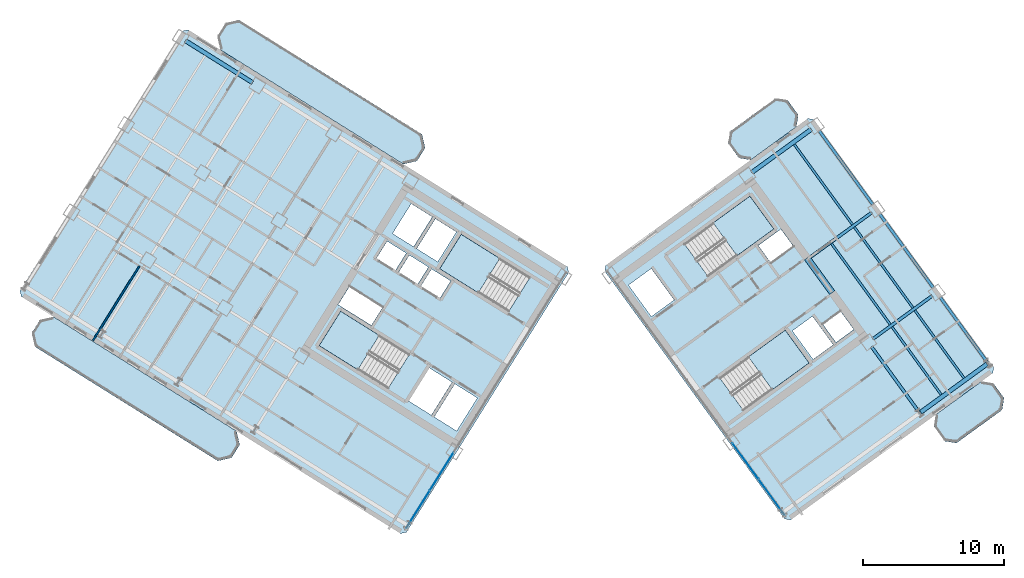
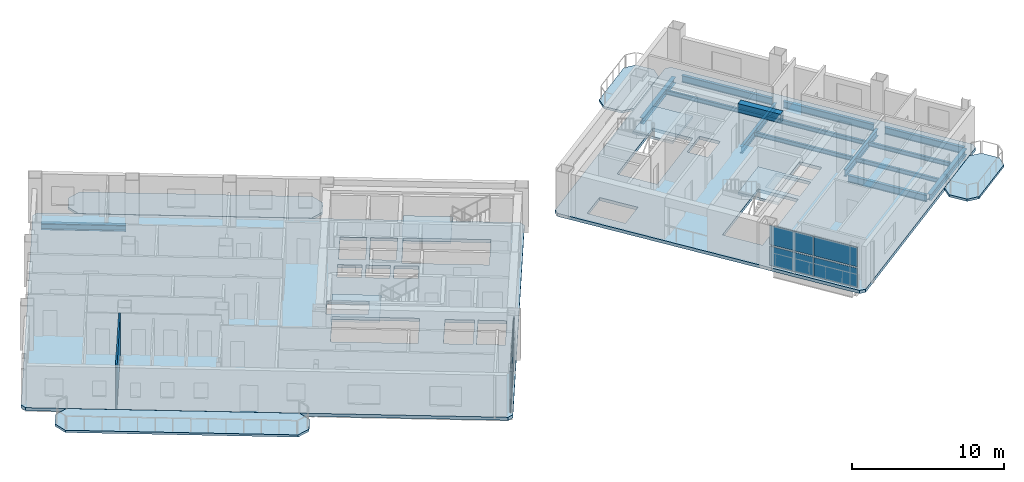
# One storey, part 9 of 18: 15 beams, 10 slabs, 8 plates, 1 wall, 6 elements without a shape of their own.
"""IFC4 building model written with IfcOpenShell, lengths in metres."""

import ifcopenshell
import ifcopenshell.guid

model = None  # the IFC model being written
_history = None  # IfcOwnerHistory: only IFC2X3 demands one
_inside = {}  # id of a spatial element -> (the spatial element, [elements in it])
_under = {}  # id of a project, library or spatial element -> (it, [spatial elements below it])
_declared = {}  # id of a project -> (the project, [libraries it declares])
_typed = {}  # id of a type object -> (the type object, [elements of that type])
_made_of = {}  # id of a material, layer set ... -> (it, [elements and type objects made of it])


def new_model(schema):
    """Start an empty IFC model of exactly this schema.

    Asked for "IFC4X3", IfcOpenShell would pick the latest addendum, in which some entities
    have other attributes; the version numbers below select the first issue.
    IFC2X3 requires an IfcOwnerHistory on every rooted entity: one is made here for all.
    """
    global model, _history
    if schema == "IFC4X3":
        model = ifcopenshell.file(schema_version=(4, 3, 0, 0))
    else:
        model = ifcopenshell.file(schema=schema)
    _inside.clear()
    _under.clear()
    _declared.clear()
    _typed.clear()
    _made_of.clear()
    _history = None
    if model.schema == "IFC2X3":
        org = make("IfcOrganization", Name="unknown")
        user = make(
            "IfcPersonAndOrganization",
            ThePerson=make("IfcPerson", FamilyName="unknown"),
            TheOrganization=org,
        )
        app = make(
            "IfcApplication",
            ApplicationDeveloper=org,
            Version="unknown",
            ApplicationFullName="unknown",
            ApplicationIdentifier="unknown",
        )
        _history = make(
            "IfcOwnerHistory",
            OwningUser=user,
            OwningApplication=app,
            ChangeAction="ADDED",
            CreationDate=0,
        )
    return model


def make(cls, **values):
    """One entity of the class cls with the attributes given. An attribute that is None is left unset."""
    return model.create_entity(
        cls, **{name: value for name, value in values.items() if value is not None}
    )


def rooted(cls, **values):
    """An entity with a GlobalId (a new one), such as an element, a storey or a relation."""
    return make(cls, GlobalId=ifcopenshell.guid.new(), OwnerHistory=_history, **values)


def si_unit(unit_type, name, prefix=None):
    """IfcSIUnit, for example si_unit("LENGTHUNIT", "METRE", prefix="MILLI")."""
    return make("IfcSIUnit", UnitType=unit_type, Prefix=prefix, Name=name)


def assignment(units):
    """IfcUnitAssignment: the units of a project."""
    return None if units is None else make("IfcUnitAssignment", Units=units)


def point(xyz):
    """IfcCartesianPoint."""
    return None if xyz is None else make("IfcCartesianPoint", Coordinates=xyz)


def direction(xyz):
    """IfcDirection."""
    return None if xyz is None else make("IfcDirection", DirectionRatios=xyz)


def frame(location, z_axis=None, x_axis=None):
    """IfcAxis2Placement3D, a coordinate frame: its origin and axes. An axis left out is left unset."""
    return make(
        "IfcAxis2Placement3D",
        Location=point(location),
        Axis=direction(z_axis),
        RefDirection=direction(x_axis),
    )


def frame_2d(location, x_axis=None):
    """IfcAxis2Placement2D, a coordinate frame in the plane: its origin and x axis."""
    return make(
        "IfcAxis2Placement2D", Location=point(location), RefDirection=direction(x_axis)
    )


def origin():
    """The frame at (0, 0, 0) with its axes left unset."""
    return frame((0.0, 0.0, 0.0))


def origin_2d():
    """The frame at (0, 0) in the plane with its x axis left unset."""
    return frame_2d((0.0, 0.0))


def place(relative_to, where):
    """IfcLocalPlacement: puts the frame where relative to a parent placement (None: the world)."""
    return make(
        "IfcLocalPlacement", PlacementRelTo=relative_to, RelativePlacement=where
    )


def context(
    kind, dimensions, precision=None, world=None, true_north=None, identifier=None
):
    """IfcGeometricRepresentationContext, for example the 3D "Model" context."""
    return make(
        "IfcGeometricRepresentationContext",
        ContextIdentifier=identifier,
        ContextType=kind,
        CoordinateSpaceDimension=dimensions,
        Precision=precision,
        WorldCoordinateSystem=world,
        TrueNorth=true_north,
    )


def subcontext(parent, identifier, kind, view, scale=None):
    """IfcGeometricRepresentationSubContext, for example "Body" below "Model"."""
    return make(
        "IfcGeometricRepresentationSubContext",
        ContextIdentifier=identifier,
        ContextType=kind,
        ParentContext=parent,
        TargetScale=scale,
        TargetView=view,
    )


def project(units=None, contexts=None):
    """IfcProject with its units and contexts."""
    return rooted(
        "IfcProject",
        Name="project",
        RepresentationContexts=contexts,
        UnitsInContext=assignment(units),
    )


def spatial(cls, under=None, at=None, **own):
    """A site, building, storey or space (cls), placed at a placement, below another one or the project."""
    s = rooted(cls, ObjectPlacement=at, **own)
    if under is not None:
        _under.setdefault(under.id(), (under, []))[1].append(s)
    return s


def polyline(points):
    """IfcPolyline through the points."""
    return make("IfcPolyline", Points=[point(p) for p in points])


def profile(cls, at=None, kind="AREA", **sizes):
    """A parametric profile (cls). Its sizes go by their IFC names, for example OverallWidth=200.0."""
    return make(cls, ProfileType=kind, Position=at, **sizes)


def rectangle(**sizes):
    """IfcRectangleProfileDef."""
    return profile("IfcRectangleProfileDef", **sizes)


def i_section(**sizes):
    """IfcIShapeProfileDef."""
    return profile("IfcIShapeProfileDef", **sizes)


def outline(outer, holes=None, kind="AREA"):
    """IfcArbitraryClosedProfileDef: a profile drawn as a closed curve; with holes, ...WithVoids."""
    if holes is None:
        return make("IfcArbitraryClosedProfileDef", ProfileType=kind, OuterCurve=outer)
    return make(
        "IfcArbitraryProfileDefWithVoids",
        ProfileType=kind,
        OuterCurve=outer,
        InnerCurves=holes,
    )


def extrude(swept, where, along, depth):
    """IfcExtrudedAreaSolid: the profile swept, set in the frame where, extruded along a direction by depth."""
    return make(
        "IfcExtrudedAreaSolid",
        SweptArea=swept,
        Position=where,
        ExtrudedDirection=direction(along),
        Depth=depth,
    )


def shape(context_of_items, identifier, shape_type, items):
    """IfcShapeRepresentation: the items that make up one representation, for example the "Body"."""
    return make(
        "IfcShapeRepresentation",
        ContextOfItems=context_of_items,
        RepresentationIdentifier=identifier,
        RepresentationType=shape_type,
        Items=items,
    )


def source(mapping_origin, context_of_items, identifier, shape_type, items):
    """IfcRepresentationMap: a shape defined once, which mapped items show again and again."""
    return make(
        "IfcRepresentationMap",
        MappingOrigin=mapping_origin,
        MappedRepresentation=shape(context_of_items, identifier, shape_type, items),
    )


def transform(
    local_origin,
    x_axis=None,
    y_axis=None,
    z_axis=None,
    scale=None,
    scale2=None,
    scale3=None,
    uniform=True,
):
    """IfcCartesianTransformationOperator3D, or its non-uniform kind. x_axis, y_axis, z_axis: its Axis1, 2, 3."""
    if uniform:
        return make(
            "IfcCartesianTransformationOperator3D",
            Axis1=direction(x_axis),
            Axis2=direction(y_axis),
            LocalOrigin=point(local_origin),
            Scale=scale,
            Axis3=direction(z_axis),
        )
    return make(
        "IfcCartesianTransformationOperator3DnonUniform",
        Axis1=direction(x_axis),
        Axis2=direction(y_axis),
        LocalOrigin=point(local_origin),
        Scale=scale,
        Axis3=direction(z_axis),
        Scale2=scale2,
        Scale3=scale3,
    )


def mapped(mapping_source, mapping_target):
    """IfcMappedItem: shows the shape of a source again, moved by a transform."""
    return make(
        "IfcMappedItem", MappingSource=mapping_source, MappingTarget=mapping_target
    )


def material(Name=None, Category=None):
    """IfcMaterial."""
    return make("IfcMaterial", Name=Name, Category=Category)


def layer(
    of_material, thickness, ventilated=None, Name=None, Category=None, Priority=None
):
    """IfcMaterialLayer: one layer of a wall or slab, of a material (None: an air gap)."""
    return make(
        "IfcMaterialLayer",
        Material=of_material,
        LayerThickness=thickness,
        IsVentilated=ventilated,
        Name=Name,
        Category=Category,
        Priority=Priority,
    )


def layer_set(layers, Name=None):
    """IfcMaterialLayerSet."""
    return make("IfcMaterialLayerSet", MaterialLayers=layers, LayerSetName=Name)


def material_profile(
    of_material, cross_section, Name=None, Category=None, Priority=None
):
    """IfcMaterialProfile: a cross section and its material."""
    return make(
        "IfcMaterialProfile",
        Name=Name,
        Material=of_material,
        Profile=cross_section,
        Priority=Priority,
        Category=Category,
    )


def profile_set(profiles, Name=None, composite=None):
    """IfcMaterialProfileSet."""
    return make(
        "IfcMaterialProfileSet",
        Name=Name,
        MaterialProfiles=profiles,
        CompositeProfile=composite,
    )


def made_of(thing, what):
    """Note that an element or type object is made of a material, layer set ...; save() writes the relation."""
    if what is not None:
        _made_of.setdefault(what.id(), (what, []))[1].append(thing)
    return thing


def type_object(cls, material=None, **own):
    """A type object (cls), such as IfcWallType, which elements share."""
    return made_of(rooted(cls, **own), material)


def element(
    cls,
    number,
    at=None,
    inside=None,
    cuts=None,
    type_object=None,
    material=None,
    context=None,
    identifier="Body",
    shape_type=None,
    held_by="IfcProductDefinitionShape",
    body=None,
    shapes=None,
    **own,
):
    """One element of the class cls, such as IfcWall. Its Tag is "e" and its number.

    at: its placement. inside: the storey or other place that contains it. cuts: it is an
    opening in that element (IfcRelVoidsElement). A single representation is given by context,
    identifier, shape_type and body (its items); several are given by shapes. held_by: the class
    of the entity that holds the representations. save() writes the other relations.
    """
    e = rooted(cls, Tag="e%d" % number, ObjectPlacement=at, **own)
    if body is not None:
        shapes = [shape(context, identifier, shape_type, body)]
    if shapes is not None:
        e.Representation = make(held_by, Representations=shapes)
    if inside is not None:
        _inside.setdefault(inside.id(), (inside, []))[1].append(e)
    if cuts is not None:
        rooted(
            "IfcRelVoidsElement", RelatingBuildingElement=cuts, RelatedOpeningElement=e
        )
    if type_object is not None:
        _typed.setdefault(type_object.id(), (type_object, []))[1].append(e)
    return made_of(e, material)


def aggregate(whole, parts):
    """IfcRelAggregates: a whole, such as a stair, and the parts it consists of."""
    return rooted("IfcRelAggregates", RelatingObject=whole, RelatedObjects=parts)


def save(model, path):
    """Write the relations noted so far, then the file.

    IfcRelAggregates (storeys below a building ...), IfcRelContainedInSpatialStructure (elements
    in a storey), IfcRelDefinesByType, IfcRelAssociatesMaterial and IfcRelDeclares: one each for
    every whole, place, type object, material and project.
    """
    for whole, parts in _under.values():
        aggregate(whole, parts)
    for where, things in _inside.values():
        rooted(
            "IfcRelContainedInSpatialStructure",
            RelatedElements=things,
            RelatingStructure=where,
        )
    for kind, things in _typed.values():
        rooted("IfcRelDefinesByType", RelatedObjects=things, RelatingType=kind)
    for what, things in _made_of.values():
        rooted("IfcRelAssociatesMaterial", RelatedObjects=things, RelatingMaterial=what)
    for by, libraries in _declared.values():
        rooted("IfcRelDeclares", RelatingContext=by, RelatedDefinitions=libraries)
    model.write(path)


model = new_model("IFC4")

# Units and contexts
model_context = context("Model", 3, precision=1e-05, world=origin(), true_north=direction((0.0, 1.0)))
body_context = subcontext(model_context, "Body", "Model", "MODEL_VIEW")
ifc_project = project(units=[si_unit("LENGTHUNIT", "METRE"), si_unit("AREAUNIT", "SQUARE_METRE"), si_unit("VOLUMEUNIT", "CUBIC_METRE"), si_unit("PLANEANGLEUNIT", "RADIAN"), si_unit("MASSUNIT", "GRAM", prefix="KILO")], contexts=[model_context])

# Site, building, storey
site_placement = place(None, origin())
site = spatial("IfcSite", under=ifc_project, at=site_placement, CompositionType="ELEMENT")
building_placement = place(site_placement, origin())
building = spatial("IfcBuilding", under=site, at=building_placement, Name="Tlacorven Tower", CompositionType="ELEMENT")
storey_placement = place(building_placement, frame((0.0, 0.0, 140.699951171875)))
storey = spatial("IfcBuildingStorey", under=building, at=storey_placement, Name="L35", CompositionType="ELEMENT", Elevation=140.699951171875)

# Beams
ifc_material_1 = material(Name="Concrete C60/75", Category="concrete")
ifc_material_profile_1 = material_profile(ifc_material_1, rectangle(XDim=0.449951171875, YDim=0.699951171875, at=origin_2d()), Name="RC 450X700")
ifc_profile_set_1 = profile_set([ifc_material_profile_1], Name="Concrete C60/75")
beam_type_1 = type_object("IfcBeamType", Name="BM-LNT-700", PredefinedType="LINTEL", material=ifc_profile_set_1)
shared_shape_1 = source(origin(), body_context, "Body", "SweptSolid", [
    extrude(rectangle(XDim=0.449951171875, YDim=0.699951171875, at=origin_2d()), origin(), (0.0, 0.0, 1.0), 3.050048828125),
])
beam_1_placement = place(storey_placement, frame((59.856689453125, 23.345947265625, 3.0), z_axis=(-0.587776590479, 0.80902328748, 0.0), x_axis=(-0.80902328748, -0.587776590479, 0.0)))
element("IfcBeam", 1, at=beam_1_placement, inside=storey, type_object=beam_type_1, Name="L35 E core coupling lintel beam E2", PredefinedType="LINTEL", context=body_context, shape_type="MappedRepresentation", body=[
    mapped(shared_shape_1, transform((0.0, 0.0, 0.0), scale=1.0)),
])
ifc_material_2 = material(Name="Steel S355J2", Category="steel")
ifc_material_profile_2 = material_profile(ifc_material_2, i_section(OverallWidth=0.300048828125, OverallDepth=0.489990234375, WebThickness=0.011962890625, FlangeThickness=0.02294921875, at=origin_2d()), Name="HEA 500")
ifc_profile_set_2 = profile_set([ifc_material_profile_2], Name="Steel S355J2")
beam_type_2 = type_object("IfcBeamType", Name="BM-SPN-500", PredefinedType="SPANDREL", material=ifc_profile_set_2)
shared_shape_2 = source(origin(), body_context, "Body", "SweptSolid", [
    extrude(i_section(OverallWidth=0.300048828125, OverallDepth=0.489990234375, WebThickness=0.011962890625, FlangeThickness=0.02294921875, at=origin_2d()), origin(), (0.0, 0.0, 1.0), 5.800048828125),
])
beam_2_placement = place(storey_placement, frame((66.138671875, 14.86962890625, -0.494873046875), z_axis=(0.809019944521, 0.587781191743, 0.0), x_axis=(-0.587781191743, 0.809019944521, 0.0)))
element("IfcBeam", 2, at=beam_2_placement, inside=storey, type_object=beam_type_2, Name="L35 beam BM-L35-EL1-3", PredefinedType="SPANDREL", context=body_context, shape_type="MappedRepresentation", body=[
    mapped(shared_shape_2, transform((0.0, 0.0, 0.0), scale=1.0)),
])
shared_shape_3 = source(origin(), body_context, "Body", "SweptSolid", [
    extrude(i_section(OverallWidth=0.300048828125, OverallDepth=0.489990234375, WebThickness=0.011962890625, FlangeThickness=0.02294921875, at=origin_2d()), origin(), (0.0, 0.0, 1.0), 5.599853515625),
])
beam_3_placement = place(storey_placement, frame((18.733642578125, 38.246337890625, -0.494873046875), z_axis=(-0.848047285686, 0.529920561254, 0.0), x_axis=(-0.529920561254, -0.848047285686, 0.0)))
element("IfcBeam", 3, at=beam_3_placement, inside=storey, type_object=beam_type_2, Name="L35 beam BM-L35-WL1-5", PredefinedType="SPANDREL", context=body_context, shape_type="MappedRepresentation", body=[
    mapped(shared_shape_3, transform((0.0, 0.0, 0.0), scale=1.0)),
])
ifc_material_profile_3 = material_profile(ifc_material_2, i_section(OverallWidth=0.2099609375, OverallDepth=0.550048828125, WebThickness=0.010986328125, FlangeThickness=0.01708984375, at=origin_2d()), Name="IPE 550")
ifc_profile_set_3 = profile_set([ifc_material_profile_3], Name="Steel S355J2")
beam_type_3 = type_object("IfcBeamType", Name="BM-TWR-550", PredefinedType="BEAM", material=ifc_profile_set_3)
shared_shape_4 = source(origin(), body_context, "Body", "SweptSolid", [
    extrude(i_section(OverallWidth=0.2099609375, OverallDepth=0.550048828125, WebThickness=0.010986328125, FlangeThickness=0.01708984375, at=origin_2d()), origin(), (0.0, 0.0, 1.0), 5.7001953125),
])
beam_4_placement = place(storey_placement, frame((70.853271484375, 18.41845703125, -0.52490234375), z_axis=(-0.587766699507, 0.809030473438, 0.0), x_axis=(-0.809030473438, -0.587766699507, 0.0)))
element("IfcBeam", 4, at=beam_4_placement, inside=storey, type_object=beam_type_3, Name="L35 beam BM-L35-ET4-1", PredefinedType="BEAM", context=body_context, shape_type="MappedRepresentation", body=[
    mapped(shared_shape_4, transform((0.0, 0.0, 0.0), scale=1.0)),
])
shared_shape_5 = source(origin(), body_context, "Body", "SweptSolid", [
    extrude(i_section(OverallWidth=0.2099609375, OverallDepth=0.550048828125, WebThickness=0.010986328125, FlangeThickness=0.01708984375, at=origin_2d()), origin(), (0.0, 0.0, 1.0), 5.699951171875),
])
beam_5_placement = place(storey_placement, frame((65.9990234375, 14.891845703125, -0.52490234375), z_axis=(-0.587787066966, 0.809015675935, 0.0), x_axis=(-0.809015675935, -0.587787066966, 0.0)))
element("IfcBeam", 5, at=beam_5_placement, inside=storey, type_object=beam_type_3, Name="L35 beam BM-L35-ET3-1", PredefinedType="BEAM", context=body_context, shape_type="MappedRepresentation", body=[
    mapped(shared_shape_5, transform((0.0, 0.0, 0.0), scale=1.0)),
])
shared_shape_6 = source(origin(), body_context, "Body", "SweptSolid", [
    extrude(i_section(OverallWidth=0.2099609375, OverallDepth=0.550048828125, WebThickness=0.010986328125, FlangeThickness=0.01708984375, at=origin_2d()), origin(), (0.0, 0.0, 1.0), 6.5),
])
for number, where, z_axis, x_axis, name in (
    (6, (67.03271484375, 23.67724609375, -0.52490234375), (-0.587809847215, 0.808999124547, 0.0), (-0.808999124547, -0.587809847215, 0.0), "L35 beam BM-L35-ET4-2"),
    (7, (62.74169921875, 29.5830078125, -0.52490234375), (-0.587785264321, 0.809016985636, 0.0), (-0.809016985636, -0.587785264321, 0.0), "L35 beam BM-L35-ET4-3"),
):
    element("IfcBeam", number, at=place(storey_placement, frame(where, z_axis=z_axis, x_axis=x_axis)), inside=storey, type_object=beam_type_3, Name=name, PredefinedType="BEAM", context=body_context, shape_type="MappedRepresentation", body=[
        mapped(shared_shape_6, transform((0.0, 0.0, 0.0), scale=1.0)),
    ])
shared_shape_7 = source(origin(), body_context, "Body", "SweptSolid", [
    extrude(i_section(OverallWidth=0.2099609375, OverallDepth=0.550048828125, WebThickness=0.010986328125, FlangeThickness=0.01708984375, at=origin_2d()), origin(), (0.0, 0.0, 1.0), 5.56005859375),
])
beam_6_placement = place(storey_placement, frame((58.155029296875, 25.756103515625, -0.52490234375), z_axis=(0.809028396397, 0.587769558435, 0.0), x_axis=(-0.587769558435, 0.809028396397, 0.0)))
element("IfcBeam", 8, at=beam_6_placement, inside=storey, type_object=beam_type_3, Name="L35 beam BM-L35-EL3-3", PredefinedType="BEAM", context=body_context, shape_type="MappedRepresentation", body=[
    mapped(shared_shape_7, transform((0.0, 0.0, 0.0), scale=1.0)),
])
ifc_material_profile_4 = material_profile(ifc_material_2, i_section(OverallWidth=0.159912109375, OverallDepth=0.330078125, WebThickness=0.007568359375, FlangeThickness=0.011474609375, at=origin_2d()), Name="IPE 330")
ifc_profile_set_4 = profile_set([ifc_material_profile_4], Name="Steel S355J2")
beam_type_4 = type_object("IfcBeamType", Name="BM-JST-330", PredefinedType="JOIST", material=ifc_profile_set_4)
shared_shape_8 = source(origin(), body_context, "Body", "SweptSolid", [
    extrude(i_section(OverallWidth=0.159912109375, OverallDepth=0.330078125, WebThickness=0.007568359375, FlangeThickness=0.011474609375, at=origin_2d()), origin(), (0.0, 0.0, 1.0), 5.93505859375),
])
for number, where, z_axis, x_axis, name in (
    (9, (67.584716796875, 16.11181640625, -0.4150390625), (-0.58778762431, 0.809015270998, 0.0), (-0.809015270998, -0.58778762431, 0.0), "L35 beam BM-L35-EJ3-1-1"),
    (10, (69.202880859375, 17.287353515625, -0.4150390625), (-0.58778762431, 0.809015270998, 0.0), (-0.809015270998, -0.58778762431, 0.0), "L35 beam BM-L35-EJ3-1-2"),
):
    element("IfcBeam", number, at=place(storey_placement, frame(where, z_axis=z_axis, x_axis=x_axis)), inside=storey, type_object=beam_type_4, Name=name, PredefinedType="JOIST", context=body_context, shape_type="MappedRepresentation", body=[
        mapped(shared_shape_8, transform((0.0, 0.0, 0.0), scale=1.0)),
    ])
shared_shape_9 = source(origin(), body_context, "Body", "SweptSolid", [
    extrude(i_section(OverallWidth=0.159912109375, OverallDepth=0.330078125, WebThickness=0.007568359375, FlangeThickness=0.011474609375, at=origin_2d()), origin(), (0.0, 0.0, 1.0), 7.080078125),
])
beam_7_placement = place(storey_placement, frame((65.5849609375, 22.266845703125, -0.4150390625), z_axis=(-0.587759505125, 0.809035700161, 0.0), x_axis=(-0.809035700161, -0.587759505125, 0.0)))
element("IfcBeam", 11, at=beam_7_placement, inside=storey, type_object=beam_type_4, Name="L35 beam BM-L35-EJ3-2-2", PredefinedType="JOIST", context=body_context, shape_type="MappedRepresentation", body=[
    mapped(shared_shape_9, transform((0.0, 0.0, 0.0), scale=1.0)),
])
shared_shape_10 = source(origin(), body_context, "Body", "SweptSolid", [
    extrude(i_section(OverallWidth=0.159912109375, OverallDepth=0.330078125, WebThickness=0.007568359375, FlangeThickness=0.011474609375, at=origin_2d()), origin(), (0.0, 0.0, 1.0), 7.034912109375),
])
beam_8_placement = place(storey_placement, frame((61.294189453125, 28.1728515625, -0.4150390625), z_axis=(-0.587781631373, 0.809019625115, 0.0), x_axis=(-0.809019625115, -0.587781631373, 0.0)))
element("IfcBeam", 12, at=beam_8_placement, inside=storey, type_object=beam_type_4, Name="L35 beam BM-L35-EJ3-3-2", PredefinedType="JOIST", context=body_context, shape_type="MappedRepresentation", body=[
    mapped(shared_shape_10, transform((0.0, 0.0, 0.0), scale=1.0)),
])
shared_shape_11 = source(origin(), body_context, "Body", "SweptSolid", [
    extrude(i_section(OverallWidth=0.159912109375, OverallDepth=0.330078125, WebThickness=0.007568359375, FlangeThickness=0.011474609375, at=origin_2d()), origin(), (0.0, 0.0, 1.0), 7.080322265625),
])
beam_9_placement = place(storey_placement, frame((63.967041015625, 21.09130859375, -0.4150390625), z_axis=(-0.587782074775, 0.809019302967, 0.0), x_axis=(-0.809019302967, -0.587782074775, 0.0)))
element("IfcBeam", 13, at=beam_9_placement, inside=storey, type_object=beam_type_4, Name="L35 beam BM-L35-EJ3-2-1", PredefinedType="JOIST", context=body_context, shape_type="MappedRepresentation", body=[
    mapped(shared_shape_11, transform((0.0, 0.0, 0.0), scale=1.0)),
])
shared_shape_12 = source(origin(), body_context, "Body", "SweptSolid", [
    extrude(i_section(OverallWidth=0.2099609375, OverallDepth=0.550048828125, WebThickness=0.010986328125, FlangeThickness=0.01708984375, at=origin_2d()), origin(), (0.0, 0.0, 1.0), 5.199951171875),
])
beam_10_placement = place(storey_placement, frame((62.7373046875, 20.06201171875, -0.52490234375), z_axis=(0.809018206713, 0.587783583648, 0.0), x_axis=(-0.587783583648, 0.809018206713, 0.0)))
element("IfcBeam", 14, at=beam_10_placement, inside=storey, type_object=beam_type_3, Name="L35 beam BM-L35-EL2-3", PredefinedType="BEAM", context=body_context, shape_type="MappedRepresentation", body=[
    mapped(shared_shape_12, transform((0.0, 0.0, 0.0), scale=1.0)),
])
shared_shape_13 = source(origin(), body_context, "Body", "SweptSolid", [
    extrude(i_section(OverallWidth=0.300048828125, OverallDepth=0.489990234375, WebThickness=0.011962890625, FlangeThickness=0.02294921875, at=origin_2d()), origin(), (0.0, 0.0, 1.0), 5.2001953125),
])
beam_11_placement = place(storey_placement, frame((54.155517578125, 31.87353515625, -0.494873046875), z_axis=(0.80901210161, 0.587791986546, 0.0), x_axis=(-0.587791986546, 0.80901210161, 0.0)))
element("IfcBeam", 15, at=beam_11_placement, inside=storey, type_object=beam_type_2, Name="L35 beam BM-L35-EL4-3", PredefinedType="SPANDREL", context=body_context, shape_type="MappedRepresentation", body=[
    mapped(shared_shape_13, transform((0.0, 0.0, 0.0), scale=1.0)),
])

# Slabs
ifc_material_3 = material(Name="Precast concrete C45/55", Category="concrete")
ifc_layer_1 = layer(ifc_material_3, 0.179931640625)
ifc_layer_set_1 = layer_set([ifc_layer_1], Name="Precast concrete C45/55")
slab_type_1 = type_object("IfcSlabType", Name="SL-BAL-180", PredefinedType="USERDEFINED", material=ifc_layer_set_1)
slab_1_placement = place(storey_placement, frame((0.0, 0.0, -0.179931640625)))
element("IfcSlab", 16, at=slab_1_placement, inside=storey, type_object=slab_type_1, Name="L35 West Wing Balcony Ribbon OUT", ObjectType="BALCONY SLAB", PredefinedType="USERDEFINED", context=body_context, shape_type="SweptSolid", body=[
    extrude(outline(polyline([(17.601318359375, 13.52490234375), (4.626220703125, 21.632568359375), (3.66162109375, 21.409912109375), (3.081298828125, 20.4814453125), (3.303955078125, 19.516845703125), (16.279052734375, 11.408935546875), (17.24365234375, 11.6318359375), (17.823974609375, 12.560302734375), (17.601318359375, 13.52490234375)])), origin(), (0.0, 0.0, 1.0), 0.179931640625),
])
slab_2_placement = place(storey_placement, frame((0.0, 0.0, -0.179931640625)))
element("IfcSlab", 17, at=slab_2_placement, inside=storey, type_object=slab_type_1, Name="L35 West Wing Balcony Ribbon IN", ObjectType="BALCONY SLAB", PredefinedType="USERDEFINED", context=body_context, shape_type="SweptSolid", body=[
    extrude(outline(polyline([(30.756591796875, 34.57763671875), (17.781494140625, 42.685546875), (16.81689453125, 42.462890625), (16.236572265625, 41.5341796875), (16.459228515625, 40.569580078125), (29.434326171875, 32.4619140625), (30.39892578125, 32.6845703125), (30.979248046875, 33.613037109375), (30.756591796875, 34.57763671875)])), origin(), (0.0, 0.0, 1.0), 0.179931640625),
])
slab_3_placement = place(storey_placement, frame((0.0, 0.0, -0.179931640625)))
element("IfcSlab", 18, at=slab_3_placement, inside=storey, type_object=slab_type_1, Name="L35 East Wing Balcony Ribbon OUT", ObjectType="BALCONY SLAB", PredefinedType="USERDEFINED", context=body_context, shape_type="SweptSolid", body=[
    extrude(outline(polyline([(68.669921875, 12.678955078125), (71.906005859375, 15.0302734375), (72.03857421875, 15.8681640625), (71.27734375, 16.916015625), (70.439453125, 17.048583984375), (67.203369140625, 14.697509765625), (67.070556640625, 13.859375), (67.831787109375, 12.811767578125), (68.669921875, 12.678955078125)])), origin(), (0.0, 0.0, 1.0), 0.179931640625),
])
slab_4_placement = place(storey_placement, frame((0.0, 0.0, -0.179931640625)))
element("IfcSlab", 19, at=slab_4_placement, inside=storey, type_object=slab_type_1, Name="L35 East Wing Balcony Ribbon IN", ObjectType="BALCONY SLAB", PredefinedType="USERDEFINED", context=body_context, shape_type="SweptSolid", body=[
    extrude(outline(polyline([(54.078125, 32.762939453125), (57.314208984375, 35.114013671875), (57.44677734375, 35.9521484375), (56.685791015625, 36.999755859375), (55.84765625, 37.132568359375), (52.611572265625, 34.78125), (52.478759765625, 33.943359375), (53.239990234375, 32.8955078125), (54.078125, 32.762939453125)])), origin(), (0.0, 0.0, 1.0), 0.179931640625),
])

# Stair, slab
ifc_material_4 = material(Name="Concrete C40/50", Category="concrete")
stair_type = type_object("IfcStairType", Name="ST-CORE-DLG", PredefinedType="HALF_TURN_STAIR", material=ifc_material_4)
stair_1_placement = place(storey_placement, origin())
stair_1 = element("IfcStair", 20, at=stair_1_placement, inside=storey, type_object=stair_type, Name="L35 Protected Exit Stair West 1", PredefinedType="HALF_TURN_STAIR")
ifc_layer_2 = layer(ifc_material_4, 0.199951171875)
ifc_layer_set_2 = layer_set([ifc_layer_2], Name="Concrete C40/50")
slab_type_2 = type_object("IfcSlabType", Name="SL-LND-200", PredefinedType="LANDING", material=ifc_layer_set_2)
slab_5_placement = place(storey_placement, frame((0.0, 0.0, 1.60009765625)))
slab_5 = element("IfcSlab", 21, at=slab_5_placement, type_object=slab_type_2, Name="ST-W1 landing 1", PredefinedType="LANDING", context=body_context, shape_type="SweptSolid", body=[
    extrude(outline(polyline([(27.728515625, 20.315185546875), (24.9892578125, 22.02685546875), (23.463134765625, 19.58447265625), (26.2021484375, 17.872802734375), (27.728515625, 20.315185546875)])), origin(), (0.0, 0.0, 1.0), 0.199951171875),
])
aggregate(stair_1, [slab_5])

stair_2_placement = place(storey_placement, origin())
stair_2 = element("IfcStair", 22, at=stair_2_placement, inside=storey, type_object=stair_type, Name="L35 Protected Exit Stair West 2", PredefinedType="HALF_TURN_STAIR")
slab_6_placement = place(storey_placement, frame((0.0, 0.0, 1.60009765625)))
slab_6 = element("IfcSlab", 23, at=slab_6_placement, type_object=slab_type_2, Name="ST-W2 landing 1", PredefinedType="LANDING", context=body_context, shape_type="SweptSolid", body=[
    extrude(outline(polyline([(36.280029296875, 25.772705078125), (33.540771484375, 27.484375), (32.0146484375, 25.0419921875), (34.75390625, 23.33056640625), (36.280029296875, 25.772705078125)])), origin(), (0.0, 0.0, 1.0), 0.199951171875),
])
aggregate(stair_2, [slab_6])

stair_3_placement = place(storey_placement, origin())
stair_3 = element("IfcStair", 24, at=stair_3_placement, inside=storey, type_object=stair_type, Name="L35 Protected Exit Stair East 1", PredefinedType="HALF_TURN_STAIR")
slab_7_placement = place(storey_placement, frame((0.0, 0.0, 1.60009765625)))
slab_7 = element("IfcSlab", 25, at=slab_7_placement, type_object=slab_type_2, Name="ST-E1 landing 1", PredefinedType="LANDING", context=body_context, shape_type="SweptSolid", body=[
    extrude(outline(polyline([(53.09765625, 25.962890625), (55.7109375, 27.861572265625), (54.01806640625, 30.19140625), (51.40478515625, 28.29296875), (53.09765625, 25.962890625)])), origin(), (0.0, 0.0, 1.0), 0.199951171875),
])
aggregate(stair_3, [slab_7])

stair_4_placement = place(storey_placement, origin())
stair_4 = element("IfcStair", 26, at=stair_4_placement, inside=storey, type_object=stair_type, Name="L35 Protected Exit Stair East 2", PredefinedType="HALF_TURN_STAIR")
slab_8_placement = place(storey_placement, frame((0.0, 0.0, 1.60009765625)))
slab_8 = element("IfcSlab", 27, at=slab_8_placement, type_object=slab_type_2, Name="ST-E2 landing 1", PredefinedType="LANDING", context=body_context, shape_type="SweptSolid", body=[
    extrude(outline(polyline([(55.601806640625, 16.4599609375), (58.21484375, 18.3583984375), (56.52197265625, 20.6884765625), (53.908935546875, 18.789794921875), (55.601806640625, 16.4599609375)])), origin(), (0.0, 0.0, 1.0), 0.199951171875),
])
aggregate(stair_4, [slab_8])

# Slabs
ifc_layer_3 = layer(ifc_material_4, 0.25)
ifc_layer_set_3 = layer_set([ifc_layer_3], Name="Concrete C40/50")
slab_type_3 = type_object("IfcSlabType", Name="SL-TWR-250", PredefinedType="FLOOR", material=ifc_layer_set_3)
slab_9_placement = place(storey_placement, frame((0.0, 0.0, -0.25)))
element("IfcSlab", 28, at=slab_9_placement, inside=storey, type_object=slab_type_3, Name="L35 West Wing Portal Floor Slab", PredefinedType="FLOOR", context=body_context, shape_type="SweptSolid", body=[
    extrude(outline(polyline([(41.06689453125, 25.18701171875), (14.1669921875, 41.99609375), (13.75341796875, 41.900634765625), (2.24365234375, 23.481201171875), (2.339111328125, 23.067626953125), (29.2392578125, 6.258544921875), (29.652587890625, 6.35400390625), (41.162353515625, 24.773681640625), (41.06689453125, 25.18701171875)]), holes=[polyline([(29.865478515625, 18.979736328125), (24.9892578125, 22.02685546875), (23.463134765625, 19.58447265625), (28.33935546875, 16.537353515625), (29.865478515625, 18.979736328125)]), polyline([(38.4169921875, 24.4375), (33.540771484375, 27.484375), (32.0146484375, 25.0419921875), (36.890869140625, 21.9951171875), (38.4169921875, 24.4375)]), polyline([(34.682373046875, 15.87548828125), (33.088134765625, 16.871826171875), (31.62548828125, 14.531005859375), (33.2197265625, 13.534912109375), (34.682373046875, 15.87548828125)]), polyline([(32.884521484375, 16.9990234375), (31.2392578125, 18.02685546875), (29.77685546875, 15.686279296875), (31.421875, 14.658203125), (32.884521484375, 16.9990234375)]), polyline([(33.197265625, 27.65185546875), (31.704833984375, 28.58447265625), (30.3798828125, 26.46435546875), (31.87255859375, 25.53173828125), (33.197265625, 27.65185546875)]), polyline([(31.484375, 28.722412109375), (29.99169921875, 29.655029296875), (28.6669921875, 27.534912109375), (30.159423828125, 26.602294921875), (31.484375, 28.722412109375)]), polyline([(32.794921875, 24.17724609375), (31.43798828125, 25.025146484375), (30.685546875, 23.82080078125), (32.042236328125, 22.972900390625), (32.794921875, 24.17724609375)]), polyline([(31.217529296875, 25.162841796875), (29.860595703125, 26.0107421875), (29.108154296875, 24.806396484375), (30.465087890625, 23.958740234375), (31.217529296875, 25.162841796875)]), polyline([(29.64013671875, 26.1484375), (28.283203125, 26.996337890625), (27.53076171875, 25.792236328125), (28.8876953125, 24.9443359375), (29.64013671875, 26.1484375)]), polyline([(27.96142578125, 22.2919921875), (25.603759765625, 23.76513671875), (24.80908203125, 22.4931640625), (27.16650390625, 21.02001953125), (27.96142578125, 22.2919921875)])]), origin(), (0.0, 0.0, 1.0), 0.25),
])
slab_10_placement = place(storey_placement, frame((0.0, 0.0, -0.25)))
element("IfcSlab", 29, at=slab_10_placement, inside=storey, type_object=slab_type_3, Name="L35 East Wing Portal Floor Slab", PredefinedType="FLOOR", context=body_context, shape_type="SweptSolid", body=[
    extrude(outline(polyline([(56.90966796875, 7.224853515625), (71.245361328125, 17.640380859375), (71.311767578125, 18.0595703125), (58.545166015625, 35.63134765625), (58.1259765625, 35.69775390625), (43.790283203125, 25.2822265625), (43.723876953125, 24.86328125), (56.49072265625, 7.291259765625), (56.90966796875, 7.224853515625)]), holes=[polyline([(51.05908203125, 24.481689453125), (55.7109375, 27.861572265625), (54.01806640625, 30.19140625), (49.3662109375, 26.811767578125), (51.05908203125, 24.481689453125)]), polyline([(53.56298828125, 14.978759765625), (58.21484375, 18.3583984375), (56.52197265625, 20.6884765625), (51.8701171875, 17.30859375), (53.56298828125, 14.978759765625)]), polyline([(47.0234375, 21.648681640625), (48.6416015625, 22.82421875), (47.019287109375, 25.05712890625), (45.401123046875, 23.881591796875), (47.0234375, 21.648681640625)]), polyline([(58.498779296875, 18.614013671875), (59.922607421875, 19.648681640625), (58.453125, 21.671142578125), (57.029296875, 20.63671875), (58.498779296875, 18.614013671875)]), polyline([(55.490478515625, 25.4765625), (57.092529296875, 26.640380859375), (56.210693359375, 27.85400390625), (54.60888671875, 26.690185546875), (55.490478515625, 25.4765625)]), polyline([(60.12109375, 19.817626953125), (61.38330078125, 20.734619140625), (60.45458984375, 22.012939453125), (59.192626953125, 21.095947265625), (60.12109375, 19.817626953125)])]), origin(), (0.0, 0.0, 1.0), 0.25),
])

# Curtain wall, plates
ifc_material_5 = material(Name="Dark solar low-E double glazing in aluminium frame", Category="aluminium")
curtain_wall_type = type_object("IfcCurtainWallType", Name="CW-TWR-MID", PredefinedType="USERDEFINED", material=ifc_material_5)
curtain_wall_1_placement = place(storey_placement, origin())
curtain_wall_1 = element("IfcCurtainWall", 30, at=curtain_wall_1_placement, inside=storey, type_object=curtain_wall_type, Name="L35 CW-TWR-MID Curtain Wall 161", ObjectType="UNITISED CURTAIN WALL", PredefinedType="USERDEFINED")
ifc_material_6 = material(Name="High-wind dark solar tempered low-E glazing", Category="glass")
ifc_layer_4 = layer(ifc_material_6, 0.028076171875)
ifc_layer_set_4 = layer_set([ifc_layer_4], Name="High-wind dark solar tempered low-E glazing")
plate_type = type_object("IfcPlateType", Name="CWP-03", PredefinedType="CURTAIN_PANEL", material=ifc_layer_set_4)
shared_shape_14 = source(origin(), body_context, "Body", "SweptSolid", [
    extrude(rectangle(XDim=3.1298828125, YDim=0.028076171875, at=origin_2d()), origin(), (0.0, 0.0, 1.0), 1.552978515625),
])
plate_1_placement = place(storey_placement, frame((32.1474609375, 10.648681640625, 0.06103515625), z_axis=(0.0, 0.0, 1.0), x_axis=(-0.529919272078, -0.848048091255, 0.0)))
plate_1 = element("IfcPlate", 31, at=plate_1_placement, type_object=plate_type, Name="CW-L35-161 Glazing Panel 1", PredefinedType="CURTAIN_PANEL", context=body_context, shape_type="MappedRepresentation", body=[
    mapped(shared_shape_14, transform((0.0, 0.0, 0.0), scale=1.0)),
])
plate_2_placement = place(storey_placement, frame((32.1474609375, 10.648681640625, 1.73583984375), z_axis=(0.0, 0.0, 1.0), x_axis=(-0.529919272078, -0.848048091255, 0.0)))
plate_2 = element("IfcPlate", 32, at=plate_2_placement, type_object=plate_type, Name="CW-L35-161 Glazing Panel 2", PredefinedType="CURTAIN_PANEL", context=body_context, shape_type="MappedRepresentation", body=[
    mapped(shared_shape_14, transform((0.0, 0.0, 0.0), scale=1.0)),
])
plate_3_placement = place(storey_placement, frame((30.4638671875, 7.95458984375, 0.06103515625), z_axis=(0.0, 0.0, 1.0), x_axis=(-0.529919272078, -0.848048091255, 0.0)))
plate_3 = element("IfcPlate", 33, at=plate_3_placement, type_object=plate_type, Name="CW-L35-161 Glazing Panel 3", PredefinedType="CURTAIN_PANEL", context=body_context, shape_type="MappedRepresentation", body=[
    mapped(shared_shape_14, transform((0.0, 0.0, 0.0), scale=1.0)),
])
plate_4_placement = place(storey_placement, frame((30.4638671875, 7.95458984375, 1.73583984375), z_axis=(0.0, 0.0, 1.0), x_axis=(-0.529919272078, -0.848048091255, 0.0)))
plate_4 = element("IfcPlate", 34, at=plate_4_placement, type_object=plate_type, Name="CW-L35-161 Glazing Panel 4", PredefinedType="CURTAIN_PANEL", context=body_context, shape_type="MappedRepresentation", body=[
    mapped(shared_shape_14, transform((0.0, 0.0, 0.0), scale=1.0)),
])
aggregate(curtain_wall_1, [plate_1, plate_2, plate_3, plate_4])

curtain_wall_2_placement = place(storey_placement, origin())
curtain_wall_2 = element("IfcCurtainWall", 35, at=curtain_wall_2_placement, inside=storey, type_object=curtain_wall_type, Name="L35 CW-TWR-MID Curtain Wall 162", ObjectType="UNITISED CURTAIN WALL", PredefinedType="USERDEFINED")
plate_5_placement = place(storey_placement, frame((55.569580078125, 8.831298828125, 0.06103515625), z_axis=(0.0, 0.0, 1.0), x_axis=(-0.587785363163, 0.809016913823, 0.0)))
plate_5 = element("IfcPlate", 36, at=plate_5_placement, type_object=plate_type, Name="CW-L35-162 Glazing Panel 1", PredefinedType="CURTAIN_PANEL", context=body_context, shape_type="MappedRepresentation", body=[
    mapped(shared_shape_14, transform((0.0, 0.0, 0.0), scale=1.0)),
])
plate_6_placement = place(storey_placement, frame((55.569580078125, 8.831298828125, 1.73583984375), z_axis=(0.0, 0.0, 1.0), x_axis=(-0.587785363163, 0.809016913823, 0.0)))
plate_6 = element("IfcPlate", 37, at=plate_6_placement, type_object=plate_type, Name="CW-L35-162 Glazing Panel 2", PredefinedType="CURTAIN_PANEL", context=body_context, shape_type="MappedRepresentation", body=[
    mapped(shared_shape_14, transform((0.0, 0.0, 0.0), scale=1.0)),
])
plate_7_placement = place(storey_placement, frame((53.7021484375, 11.4013671875, 0.06103515625), z_axis=(0.0, 0.0, 1.0), x_axis=(-0.587785363163, 0.809016913823, 0.0)))
plate_7 = element("IfcPlate", 38, at=plate_7_placement, type_object=plate_type, Name="CW-L35-162 Glazing Panel 3", PredefinedType="CURTAIN_PANEL", context=body_context, shape_type="MappedRepresentation", body=[
    mapped(shared_shape_14, transform((0.0, 0.0, 0.0), scale=1.0)),
])
plate_8_placement = place(storey_placement, frame((53.7021484375, 11.4013671875, 1.73583984375), z_axis=(0.0, 0.0, 1.0), x_axis=(-0.587785363163, 0.809016913823, 0.0)))
plate_8 = element("IfcPlate", 39, at=plate_8_placement, type_object=plate_type, Name="CW-L35-162 Glazing Panel 4", PredefinedType="CURTAIN_PANEL", context=body_context, shape_type="MappedRepresentation", body=[
    mapped(shared_shape_14, transform((0.0, 0.0, 0.0), scale=1.0)),
])
aggregate(curtain_wall_2, [plate_5, plate_6, plate_7, plate_8])

# Wall
ifc_material_7 = material(Name="Gypsum plasterboard partition", Category="gypsum")
ifc_layer_5 = layer(ifc_material_7, 0.110107421875)
ifc_layer_set_5 = layer_set([ifc_layer_5], Name="Gypsum plasterboard partition")
wall_type = type_object("IfcWallType", Name="WL-INT-110", PredefinedType="PARTITIONING", material=ifc_layer_set_5)
wall_placement = place(storey_placement, frame((10.717041015625, 25.23779296875, 0.0), z_axis=(0.0, 0.0, 1.0), x_axis=(-0.52991804857, -0.848048855786, 0.0)))
element("IfcWall", 40, at=wall_placement, inside=storey, type_object=wall_type, Name="L35 partition 64", PredefinedType="PARTITIONING", context=body_context, shape_type="SweptSolid", body=[
    extrude(rectangle(XDim=6.239990234375, YDim=0.110107421875, at=frame_2d((3.1201171875, 0.0))), origin(), (0.0, 0.0, 1.0), 3.340087890625),
])

save(model, "model.ifc")
